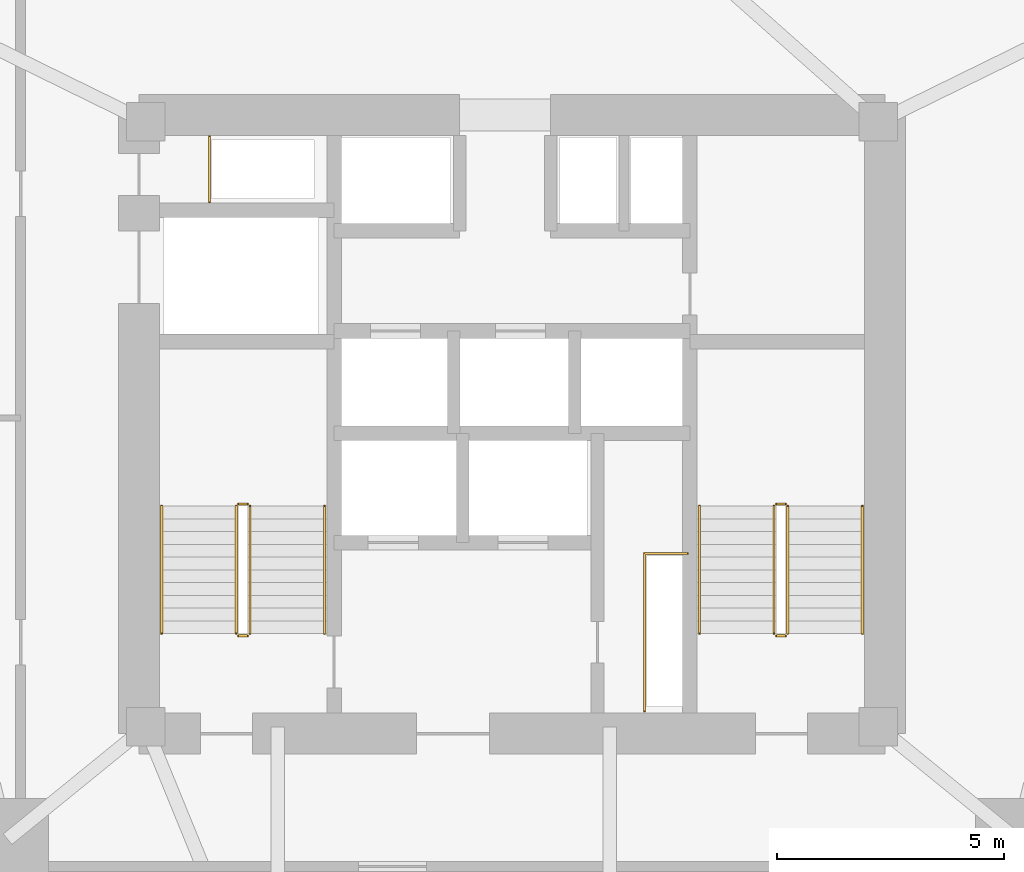
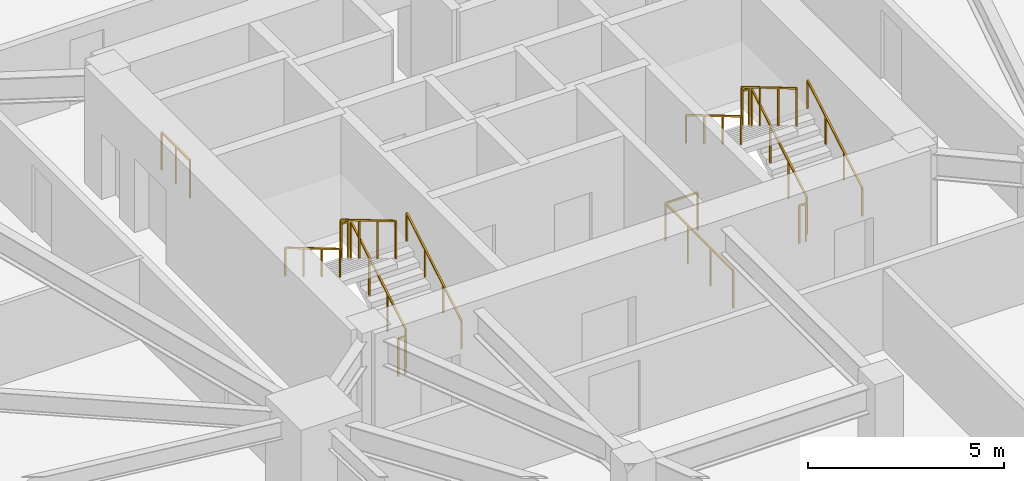
# One storey, part 14 of 14: 14 railings.
"""IFC4 building model written with IfcOpenShell, lengths in metres."""

from ifc_helpers import new_model, si_unit, direction, frame, origin, origin_2d, place, context, subcontext, project, spatial, rectangle, extrude, material, type_object, element, save


model = new_model("IFC4")

# Units and contexts
model_context = context("Model", 3, precision=1e-05, world=origin(), true_north=direction((0.0, 1.0)))
body_context = subcontext(model_context, "Body", "Model", "MODEL_VIEW")
ifc_project = project(units=[si_unit("LENGTHUNIT", "METRE"), si_unit("AREAUNIT", "SQUARE_METRE"), si_unit("VOLUMEUNIT", "CUBIC_METRE"), si_unit("PLANEANGLEUNIT", "RADIAN"), si_unit("MASSUNIT", "GRAM", prefix="KILO")], contexts=[model_context])

# Site, building, storey
site_placement = place(None, origin())
site = spatial("IfcSite", under=ifc_project, at=site_placement, CompositionType="ELEMENT")
building_placement = place(site_placement, origin())
building = spatial("IfcBuilding", under=site, at=building_placement, Name="Talyreon Biosciences Tower", CompositionType="ELEMENT")
storey_placement = place(building_placement, frame((0.0, 0.0, 52.0)))
storey = spatial("IfcBuildingStorey", under=building, at=storey_placement, Name="L13", CompositionType="ELEMENT", Elevation=52.0)

# Railings
ifc_material_1 = material(Name="Brushed stainless-steel tubular handrail", Category="steel")
railing_type_1 = type_object("IfcRailingType", Name="StairWallHandrail_900", PredefinedType="HANDRAIL", material=ifc_material_1)
railing_1_placement = place(storey_placement, frame((61.8798828125, 63.39990234375, 0.166015625)))
element("IfcRailing", 1, at=railing_1_placement, inside=storey, type_object=railing_type_1, Name="L13 ST-1 stair handrail 1", PredefinedType="HANDRAIL", context=body_context, shape_type="SweptSolid", body=[
    extrude(rectangle(XDim=0.048095703125, YDim=0.048095703125, at=origin_2d()), frame((0.0, 0.0, 0.8759765625), z_axis=(0.0, 0.860339051648, 0.50972219513), x_axis=(-1.0, 0.0, 0.0)), (0.0, 0.0, 1.0), 3.254638671875),
    extrude(rectangle(XDim=0.0419921875, YDim=0.0419921875, at=origin_2d()), origin(), (0.0, 0.0, 1.0), 0.851806640625),
    extrude(rectangle(XDim=0.0419921875, YDim=0.0419921875, at=origin_2d()), frame((0.0, 0.933349609375, 0.552978515625)), (0.0, 0.0, 1.0), 0.851806640625),
    extrude(rectangle(XDim=0.0419921875, YDim=0.0419921875, at=origin_2d()), frame((0.0, 1.86669921875, 1.10595703125)), (0.0, 0.0, 1.0), 0.851806640625),
    extrude(rectangle(XDim=0.0419921875, YDim=0.0419921875, at=origin_2d()), frame((0.0, 2.800048828125, 1.658935546875)), (0.0, 0.0, 1.0), 0.851806640625),
])
railing_2_placement = place(storey_placement, frame((58.300048828125, 66.199951171875, 1.990966796875)))
element("IfcRailing", 2, at=railing_2_placement, inside=storey, type_object=railing_type_1, Name="L13 ST-1 stair handrail 2", PredefinedType="HANDRAIL", context=body_context, shape_type="SweptSolid", body=[
    extrude(rectangle(XDim=0.048095703125, YDim=0.048095703125, at=origin_2d()), frame((0.0, 0.0, 0.8759765625), z_axis=(0.0, -0.860339051648, 0.50972219513), x_axis=(1.0, 0.0, 0.0)), (0.0, 0.0, 1.0), 3.254638671875),
    extrude(rectangle(XDim=0.0419921875, YDim=0.0419921875, at=origin_2d()), origin(), (0.0, 0.0, 1.0), 0.851806640625),
    extrude(rectangle(XDim=0.0419921875, YDim=0.0419921875, at=origin_2d()), frame((0.0, -0.933349609375, 0.552978515625)), (0.0, 0.0, 1.0), 0.851806640625),
    extrude(rectangle(XDim=0.0419921875, YDim=0.0419921875, at=origin_2d()), frame((0.0, -1.86669921875, 1.10595703125)), (0.0, 0.0, 1.0), 0.851806640625),
    extrude(rectangle(XDim=0.0419921875, YDim=0.0419921875, at=origin_2d()), frame((0.0, -2.800048828125, 1.658935546875)), (0.0, 0.0, 1.0), 0.851806640625),
])
railing_3_placement = place(storey_placement, frame((73.699951171875, 63.39990234375, 0.166015625)))
element("IfcRailing", 3, at=railing_3_placement, inside=storey, type_object=railing_type_1, Name="L13 ST-2 stair handrail 1", PredefinedType="HANDRAIL", context=body_context, shape_type="SweptSolid", body=[
    extrude(rectangle(XDim=0.048095703125, YDim=0.048095703125, at=origin_2d()), frame((0.0, 0.0, 0.8759765625), z_axis=(0.0, 0.860339051648, 0.50972219513), x_axis=(-1.0, 0.0, 0.0)), (0.0, 0.0, 1.0), 3.254638671875),
    extrude(rectangle(XDim=0.0419921875, YDim=0.0419921875, at=origin_2d()), origin(), (0.0, 0.0, 1.0), 0.851806640625),
    extrude(rectangle(XDim=0.0419921875, YDim=0.0419921875, at=origin_2d()), frame((0.0, 0.933349609375, 0.552978515625)), (0.0, 0.0, 1.0), 0.851806640625),
    extrude(rectangle(XDim=0.0419921875, YDim=0.0419921875, at=origin_2d()), frame((0.0, 1.86669921875, 1.10595703125)), (0.0, 0.0, 1.0), 0.851806640625),
    extrude(rectangle(XDim=0.0419921875, YDim=0.0419921875, at=origin_2d()), frame((0.0, 2.800048828125, 1.658935546875)), (0.0, 0.0, 1.0), 0.851806640625),
])
railing_4_placement = place(storey_placement, frame((70.1201171875, 66.199951171875, 1.990966796875)))
element("IfcRailing", 4, at=railing_4_placement, inside=storey, type_object=railing_type_1, Name="L13 ST-2 stair handrail 2", PredefinedType="HANDRAIL", context=body_context, shape_type="SweptSolid", body=[
    extrude(rectangle(XDim=0.048095703125, YDim=0.048095703125, at=origin_2d()), frame((0.0, 0.0, 0.8759765625), z_axis=(0.0, -0.860339051648, 0.50972219513), x_axis=(1.0, 0.0, 0.0)), (0.0, 0.0, 1.0), 3.254638671875),
    extrude(rectangle(XDim=0.0419921875, YDim=0.0419921875, at=origin_2d()), origin(), (0.0, 0.0, 1.0), 0.851806640625),
    extrude(rectangle(XDim=0.0419921875, YDim=0.0419921875, at=origin_2d()), frame((0.0, -0.933349609375, 0.552978515625)), (0.0, 0.0, 1.0), 0.851806640625),
    extrude(rectangle(XDim=0.0419921875, YDim=0.0419921875, at=origin_2d()), frame((0.0, -1.86669921875, 1.10595703125)), (0.0, 0.0, 1.0), 0.851806640625),
    extrude(rectangle(XDim=0.0419921875, YDim=0.0419921875, at=origin_2d()), frame((0.0, -2.800048828125, 1.658935546875)), (0.0, 0.0, 1.0), 0.851806640625),
])
ifc_material_2 = material(Name="Painted galvanised steel post-and-rail balustrade", Category="steel")
railing_type_2 = type_object("IfcRailingType", Name="TerraceStairGuard_1200", PredefinedType="GUARDRAIL", material=ifc_material_2)
railing_5_placement = place(storey_placement, frame((60.239990234375, 63.39990234375, 0.166015625)))
element("IfcRailing", 5, at=railing_5_placement, inside=storey, type_object=railing_type_2, Name="L13 ST-1 stair guard 1", PredefinedType="GUARDRAIL", context=body_context, shape_type="SweptSolid", body=[
    extrude(rectangle(XDim=0.048095703125, YDim=0.048095703125, at=origin_2d()), frame((0.0, 0.0, 1.17578125), z_axis=(0.0, 0.860339051648, 0.50972219513), x_axis=(-1.0, 0.0, 0.0)), (0.0, 0.0, 1.0), 3.254638671875),
    extrude(rectangle(XDim=0.0419921875, YDim=0.0419921875, at=origin_2d()), origin(), (0.0, 0.0, 1.0), 1.15185546875),
    extrude(rectangle(XDim=0.0419921875, YDim=0.0419921875, at=origin_2d()), frame((0.0, 0.933349609375, 0.552978515625)), (0.0, 0.0, 1.0), 1.15185546875),
    extrude(rectangle(XDim=0.0419921875, YDim=0.0419921875, at=origin_2d()), frame((0.0, 1.86669921875, 1.10595703125)), (0.0, 0.0, 1.0), 1.15185546875),
    extrude(rectangle(XDim=0.0419921875, YDim=0.0419921875, at=origin_2d()), frame((0.0, 2.800048828125, 1.658935546875)), (0.0, 0.0, 1.0), 1.15185546875),
])
railing_6_placement = place(storey_placement, frame((60.18994140625, 66.25, 1.824951171875)))
element("IfcRailing", 6, at=railing_6_placement, inside=storey, type_object=railing_type_2, Name="L13 ST-1 stair guard 2", PredefinedType="GUARDRAIL", context=body_context, shape_type="SweptSolid", body=[
    extrude(rectangle(XDim=0.048095703125, YDim=0.048095703125, at=origin_2d()), frame((0.0, 0.0, 1.17578125), z_axis=(-1.0, 0.0, 0.0), x_axis=(0.0, -1.0, 0.0)), (0.0, 0.0, 1.0), 0.199951171875),
    extrude(rectangle(XDim=0.0419921875, YDim=0.0419921875, at=origin_2d()), origin(), (0.0, 0.0, 1.0), 1.15185546875),
    extrude(rectangle(XDim=0.0419921875, YDim=0.0419921875, at=origin_2d()), frame((-0.199951171875, 0.0, 0.0)), (0.0, 0.0, 1.0), 1.15185546875),
])
railing_7_placement = place(storey_placement, frame((59.93994140625, 66.199951171875, 1.990966796875)))
element("IfcRailing", 7, at=railing_7_placement, inside=storey, type_object=railing_type_2, Name="L13 ST-1 stair guard 3", PredefinedType="GUARDRAIL", context=body_context, shape_type="SweptSolid", body=[
    extrude(rectangle(XDim=0.048095703125, YDim=0.048095703125, at=origin_2d()), frame((0.0, 0.0, 1.17578125), z_axis=(0.0, -0.860339051648, 0.50972219513), x_axis=(1.0, 0.0, 0.0)), (0.0, 0.0, 1.0), 3.254638671875),
    extrude(rectangle(XDim=0.0419921875, YDim=0.0419921875, at=origin_2d()), origin(), (0.0, 0.0, 1.0), 1.15185546875),
    extrude(rectangle(XDim=0.0419921875, YDim=0.0419921875, at=origin_2d()), frame((0.0, -0.933349609375, 0.552978515625)), (0.0, 0.0, 1.0), 1.15185546875),
    extrude(rectangle(XDim=0.0419921875, YDim=0.0419921875, at=origin_2d()), frame((0.0, -1.86669921875, 1.10595703125)), (0.0, 0.0, 1.0), 1.15185546875),
    extrude(rectangle(XDim=0.0419921875, YDim=0.0419921875, at=origin_2d()), frame((0.0, -2.800048828125, 1.658935546875)), (0.0, 0.0, 1.0), 1.15185546875),
])
railing_8_placement = place(storey_placement, frame((60.18994140625, 63.35009765625, 0.0)))
element("IfcRailing", 8, at=railing_8_placement, inside=storey, type_object=railing_type_2, Name="L13 ST-1 stair guard 4", PredefinedType="GUARDRAIL", context=body_context, shape_type="SweptSolid", body=[
    extrude(rectangle(XDim=0.048095703125, YDim=0.048095703125, at=origin_2d()), frame((0.0, 0.0, 1.17578125), z_axis=(-1.0, 0.0, 0.0), x_axis=(0.0, -1.0, 0.0)), (0.0, 0.0, 1.0), 0.199951171875),
    extrude(rectangle(XDim=0.0419921875, YDim=0.0419921875, at=origin_2d()), origin(), (0.0, 0.0, 1.0), 1.15185546875),
    extrude(rectangle(XDim=0.0419921875, YDim=0.0419921875, at=origin_2d()), frame((-0.199951171875, 0.0, 0.0)), (0.0, 0.0, 1.0), 1.15185546875),
])
railing_9_placement = place(storey_placement, frame((72.06005859375, 63.39990234375, 0.166015625)))
element("IfcRailing", 9, at=railing_9_placement, inside=storey, type_object=railing_type_2, Name="L13 ST-2 stair guard 1", PredefinedType="GUARDRAIL", context=body_context, shape_type="SweptSolid", body=[
    extrude(rectangle(XDim=0.048095703125, YDim=0.048095703125, at=origin_2d()), frame((0.0, 0.0, 1.17578125), z_axis=(0.0, 0.860339051648, 0.50972219513), x_axis=(-1.0, 0.0, 0.0)), (0.0, 0.0, 1.0), 3.254638671875),
    extrude(rectangle(XDim=0.0419921875, YDim=0.0419921875, at=origin_2d()), origin(), (0.0, 0.0, 1.0), 1.15185546875),
    extrude(rectangle(XDim=0.0419921875, YDim=0.0419921875, at=origin_2d()), frame((0.0, 0.933349609375, 0.552978515625)), (0.0, 0.0, 1.0), 1.15185546875),
    extrude(rectangle(XDim=0.0419921875, YDim=0.0419921875, at=origin_2d()), frame((0.0, 1.86669921875, 1.10595703125)), (0.0, 0.0, 1.0), 1.15185546875),
    extrude(rectangle(XDim=0.0419921875, YDim=0.0419921875, at=origin_2d()), frame((0.0, 2.800048828125, 1.658935546875)), (0.0, 0.0, 1.0), 1.15185546875),
])
railing_10_placement = place(storey_placement, frame((72.010009765625, 66.25, 1.824951171875)))
element("IfcRailing", 10, at=railing_10_placement, inside=storey, type_object=railing_type_2, Name="L13 ST-2 stair guard 2", PredefinedType="GUARDRAIL", context=body_context, shape_type="SweptSolid", body=[
    extrude(rectangle(XDim=0.048095703125, YDim=0.048095703125, at=origin_2d()), frame((0.0, 0.0, 1.17578125), z_axis=(-1.0, 0.0, 0.0), x_axis=(0.0, -1.0, 0.0)), (0.0, 0.0, 1.0), 0.199951171875),
    extrude(rectangle(XDim=0.0419921875, YDim=0.0419921875, at=origin_2d()), origin(), (0.0, 0.0, 1.0), 1.15185546875),
    extrude(rectangle(XDim=0.0419921875, YDim=0.0419921875, at=origin_2d()), frame((-0.199951171875, 0.0, 0.0)), (0.0, 0.0, 1.0), 1.15185546875),
])
railing_11_placement = place(storey_placement, frame((71.760009765625, 66.199951171875, 1.990966796875)))
element("IfcRailing", 11, at=railing_11_placement, inside=storey, type_object=railing_type_2, Name="L13 ST-2 stair guard 3", PredefinedType="GUARDRAIL", context=body_context, shape_type="SweptSolid", body=[
    extrude(rectangle(XDim=0.048095703125, YDim=0.048095703125, at=origin_2d()), frame((0.0, 0.0, 1.17578125), z_axis=(0.0, -0.860339051648, 0.50972219513), x_axis=(1.0, 0.0, 0.0)), (0.0, 0.0, 1.0), 3.254638671875),
    extrude(rectangle(XDim=0.0419921875, YDim=0.0419921875, at=origin_2d()), origin(), (0.0, 0.0, 1.0), 1.15185546875),
    extrude(rectangle(XDim=0.0419921875, YDim=0.0419921875, at=origin_2d()), frame((0.0, -0.933349609375, 0.552978515625)), (0.0, 0.0, 1.0), 1.15185546875),
    extrude(rectangle(XDim=0.0419921875, YDim=0.0419921875, at=origin_2d()), frame((0.0, -1.86669921875, 1.10595703125)), (0.0, 0.0, 1.0), 1.15185546875),
    extrude(rectangle(XDim=0.0419921875, YDim=0.0419921875, at=origin_2d()), frame((0.0, -2.800048828125, 1.658935546875)), (0.0, 0.0, 1.0), 1.15185546875),
])
railing_12_placement = place(storey_placement, frame((72.010009765625, 63.35009765625, 0.0)))
element("IfcRailing", 12, at=railing_12_placement, inside=storey, type_object=railing_type_2, Name="L13 ST-2 stair guard 4", PredefinedType="GUARDRAIL", context=body_context, shape_type="SweptSolid", body=[
    extrude(rectangle(XDim=0.048095703125, YDim=0.048095703125, at=origin_2d()), frame((0.0, 0.0, 1.17578125), z_axis=(-1.0, 0.0, 0.0), x_axis=(0.0, -1.0, 0.0)), (0.0, 0.0, 1.0), 0.199951171875),
    extrude(rectangle(XDim=0.0419921875, YDim=0.0419921875, at=origin_2d()), origin(), (0.0, 0.0, 1.0), 1.15185546875),
    extrude(rectangle(XDim=0.0419921875, YDim=0.0419921875, at=origin_2d()), frame((-0.199951171875, 0.0, 0.0)), (0.0, 0.0, 1.0), 1.15185546875),
])
railing_13_placement = place(storey_placement, frame((59.35009765625, 72.8798828125, 0.0)))
element("IfcRailing", 13, at=railing_13_placement, inside=storey, type_object=railing_type_2, Name="L13 Exhaust Riser Maintenance Guardrail", PredefinedType="GUARDRAIL", context=body_context, shape_type="SweptSolid", body=[
    extrude(rectangle(XDim=0.048095703125, YDim=0.048095703125, at=origin_2d()), frame((0.0, 0.0, 1.17578125), z_axis=(0.0, 1.0, 0.0), x_axis=(-1.0, 0.0, 0.0)), (0.0, 0.0, 1.0), 1.4501953125),
    extrude(rectangle(XDim=0.0419921875, YDim=0.0419921875, at=origin_2d()), origin(), (0.0, 0.0, 1.0), 1.15185546875),
    extrude(rectangle(XDim=0.0419921875, YDim=0.0419921875, at=origin_2d()), frame((0.0, 0.72509765625, 0.0)), (0.0, 0.0, 1.0), 1.15185546875),
    extrude(rectangle(XDim=0.0419921875, YDim=0.0419921875, at=origin_2d()), frame((0.0, 1.4501953125, 0.0)), (0.0, 0.0, 1.0), 1.15185546875),
])
railing_14_placement = place(storey_placement, frame((68.909912109375, 61.699951171875, 0.0)))
element("IfcRailing", 14, at=railing_14_placement, inside=storey, type_object=railing_type_2, Name="L13 Electrical Riser Maintenance Guardrail", PredefinedType="GUARDRAIL", context=body_context, shape_type="SweptSolid", body=[
    extrude(rectangle(XDim=0.048095703125, YDim=0.048095703125, at=origin_2d()), frame((0.0, 0.0, 1.17578125), z_axis=(0.0, 1.0, 0.0), x_axis=(-1.0, 0.0, 0.0)), (0.0, 0.0, 1.0), 3.4599609375),
    extrude(rectangle(XDim=0.048095703125, YDim=0.048095703125, at=origin_2d()), frame((0.0, 3.4599609375, 1.17578125), z_axis=(1.0, 0.0, 0.0), x_axis=(0.0, 1.0, 0.0)), (0.0, 0.0, 1.0), 0.9501953125),
    extrude(rectangle(XDim=0.0419921875, YDim=0.0419921875, at=origin_2d()), origin(), (0.0, 0.0, 1.0), 1.15185546875),
    extrude(rectangle(XDim=0.0419921875, YDim=0.0419921875, at=origin_2d()), frame((0.0, 1.1533203125, 0.0)), (0.0, 0.0, 1.0), 1.15185546875),
    extrude(rectangle(XDim=0.0419921875, YDim=0.0419921875, at=origin_2d()), frame((0.0, 2.306640625, 0.0)), (0.0, 0.0, 1.0), 1.15185546875),
    extrude(rectangle(XDim=0.0419921875, YDim=0.0419921875, at=origin_2d()), frame((0.0, 3.4599609375, 0.0)), (0.0, 0.0, 1.0), 1.15185546875),
    extrude(rectangle(XDim=0.0419921875, YDim=0.0419921875, at=origin_2d()), frame((0.9501953125, 3.4599609375, 0.0)), (0.0, 0.0, 1.0), 1.15185546875),
])

save(model, "model.ifc")
